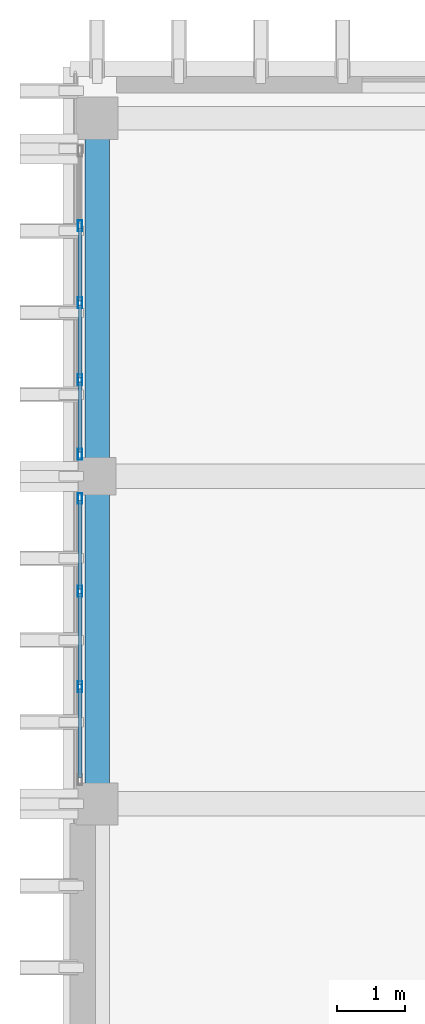
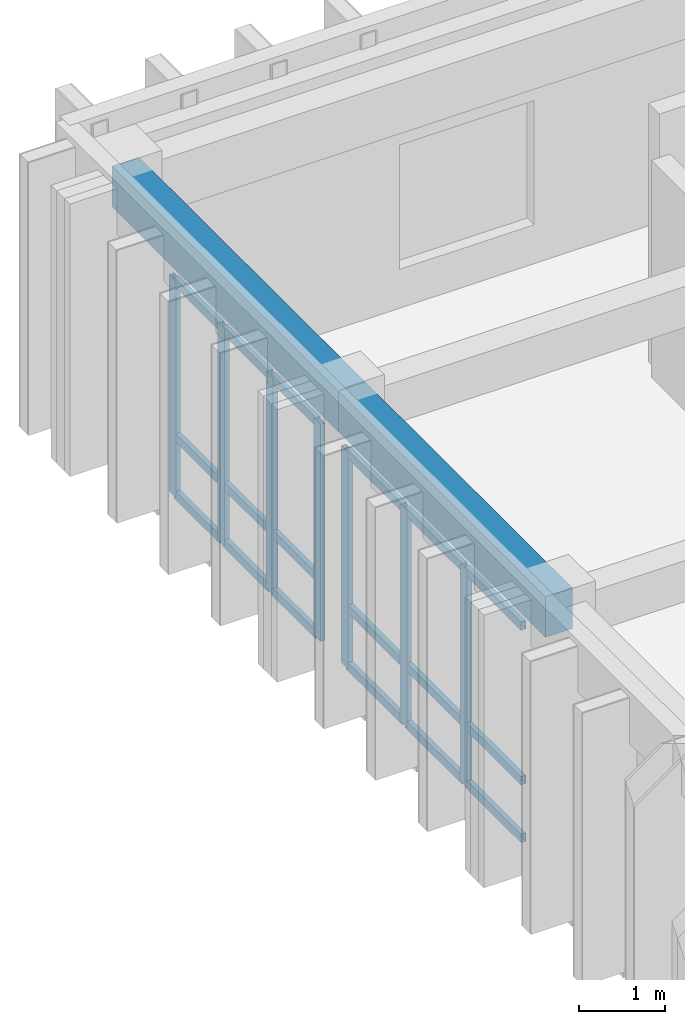
# One storey, part 30 of 50: 25 members, 2 beams, 2 elements without a shape of their own.
"""IFC4 building model written with IfcOpenShell, lengths in metres."""

from ifc_helpers import new_model, si_unit, direction, frame, origin, origin_2d, place, context, subcontext, project, spatial, rectangle, hollow_rectangle, extrude, material, layer, layer_set, material_profile, profile_set, type_object, element, aggregate, save


model = new_model("IFC4")

# Units and contexts
model_context = context("Model", 3, precision=1e-05, world=origin(), true_north=direction((0.0, 1.0)))
body_context = subcontext(model_context, "Body", "Model", "MODEL_VIEW")
ifc_project = project(units=[si_unit("LENGTHUNIT", "METRE"), si_unit("AREAUNIT", "SQUARE_METRE"), si_unit("VOLUMEUNIT", "CUBIC_METRE"), si_unit("PLANEANGLEUNIT", "RADIAN"), si_unit("MASSUNIT", "GRAM", prefix="KILO")], contexts=[model_context])

# Site, building, storey
site_placement = place(None, origin())
site = spatial("IfcSite", under=ifc_project, at=site_placement, CompositionType="ELEMENT")
building_placement = place(site_placement, origin())
building = spatial("IfcBuilding", under=site, at=building_placement, Name="Nakhvara Creek Congress Hotel", CompositionType="ELEMENT")
storey_placement = place(building_placement, frame((0.0, 0.0, 42.60009765625)))
storey = spatial("IfcBuildingStorey", under=building, at=storey_placement, Name="L10", CompositionType="ELEMENT", Elevation=42.60009765625)

# Beams
ifc_material_1 = material(Name="Concrete C40/50", Category="concrete")
ifc_material_profile_1 = material_profile(ifc_material_1, rectangle(XDim=0.360107421875, YDim=0.580078125, at=origin_2d()), Name="RC-BM 360x580", Category="LoadBearing")
ifc_profile_set_1 = profile_set([ifc_material_profile_1], Name="Concrete C40/50")
beam_type = type_object("IfcBeamType", Name="BM-RC-360X580", PredefinedType="BEAM", material=ifc_profile_set_1)
beam_1_placement = place(storey_placement, frame((149.449951171875, 115.199951171875, 3.369873046875), z_axis=(0.0, 1.0, 0.0), x_axis=(-1.0, 0.0, 0.0)))
element("IfcBeam", 1, at=beam_1_placement, inside=storey, type_object=beam_type, Name="Beam B09-L10-2645", PredefinedType="BEAM", context=body_context, shape_type="SweptSolid", body=[
    extrude(rectangle(XDim=0.360107421875, YDim=0.580078125, at=origin_2d()), origin(), (0.0, 0.0, 1.0), 4.800048828125),
])
beam_2_placement = place(storey_placement, frame((149.449951171875, 120.0, 3.369873046875), z_axis=(0.0, 1.0, 0.0), x_axis=(-1.0, 0.0, 0.0)))
element("IfcBeam", 2, at=beam_2_placement, inside=storey, type_object=beam_type, Name="Beam B09-L10-2647", PredefinedType="BEAM", context=body_context, shape_type="SweptSolid", body=[
    extrude(rectangle(XDim=0.360107421875, YDim=0.580078125, at=origin_2d()), origin(), (0.0, 0.0, 1.0), 5.25),
])

# Curtain wall, members
ifc_material_2 = material(Name="Bronze-anodised aluminium AW-6063-T6 and double-silver low-E glass", Category="aluminium")
ifc_layer = layer(ifc_material_2, 0.199951171875)
ifc_layer_set = layer_set([ifc_layer], Name="Bronze-anodised aluminium AW-6063-T6 and double-silver low-E glass")
curtain_wall_type = type_object("IfcCurtainWallType", Name="CW-HTL-UNIT", PredefinedType="USERDEFINED", material=ifc_layer_set)
curtain_wall_1_placement = place(storey_placement, origin())
curtain_wall_1 = element("IfcCurtainWall", 3, at=curtain_wall_1_placement, inside=storey, type_object=curtain_wall_type, Name="Curtain Wall CW329", ObjectType="UNITISED", PredefinedType="USERDEFINED")
ifc_material_3 = material(Name="Bronze-anodised aluminium AW-6063-T6", Category="aluminium")
ifc_material_profile_2 = material_profile(ifc_material_3, hollow_rectangle(XDim=0.06494140625, YDim=0.159912109375, WallThickness=0.00390625, at=origin_2d()), Name="ALU-MULL 65x160x4", Category="LoadBearing")
ifc_profile_set_2 = profile_set([ifc_material_profile_2], Name="Bronze-anodised aluminium AW-6063-T6")
member_type_1 = type_object("IfcMemberType", Name="CW-MULL-160", PredefinedType="MULLION", material=ifc_profile_set_2)
member_1_placement = place(storey_placement, frame((149.199951171875, 116.919921875, 0.0), z_axis=(0.0, 0.0, 1.0), x_axis=(-1.0, 0.0, 0.0)))
member_1 = element("IfcMember", 4, at=member_1_placement, type_object=member_type_1, Name="CW329 mullion 2", PredefinedType="MULLION", context=body_context, shape_type="SweptSolid", body=[
    extrude(hollow_rectangle(XDim=0.06494140625, YDim=0.159912109375, WallThickness=0.00390625, at=origin_2d()), origin(), (0.0, 0.0, 1.0), 3.072021484375),
])
member_2_placement = place(storey_placement, frame((149.199951171875, 118.31494140625, 0.0), z_axis=(0.0, 0.0, 1.0), x_axis=(-1.0, 0.0, 0.0)))
member_2 = element("IfcMember", 5, at=member_2_placement, type_object=member_type_1, Name="CW329 mullion 3", PredefinedType="MULLION", context=body_context, shape_type="SweptSolid", body=[
    extrude(hollow_rectangle(XDim=0.06494140625, YDim=0.159912109375, WallThickness=0.00390625, at=origin_2d()), origin(), (0.0, 0.0, 1.0), 3.072021484375),
])
member_3_placement = place(storey_placement, frame((149.199951171875, 119.677490234375, 0.0), z_axis=(0.0, 0.0, 1.0), x_axis=(-1.0, 0.0, 0.0)))
member_3 = element("IfcMember", 6, at=member_3_placement, type_object=member_type_1, Name="CW329 mullion 4", PredefinedType="MULLION", context=body_context, shape_type="SweptSolid", body=[
    extrude(hollow_rectangle(XDim=0.06494140625, YDim=0.159912109375, WallThickness=0.00390625, at=origin_2d()), origin(), (0.0, 0.0, 1.0), 3.072021484375),
])

curtain_wall_2_placement = place(storey_placement, origin())
curtain_wall_2 = element("IfcCurtainWall", 7, at=curtain_wall_2_placement, inside=storey, type_object=curtain_wall_type, Name="Curtain Wall CW331", ObjectType="UNITISED", PredefinedType="USERDEFINED")
member_4_placement = place(storey_placement, frame((149.199951171875, 120.322509765625, 0.0), z_axis=(0.0, 0.0, 1.0), x_axis=(-1.0, 0.0, 0.0)))
member_4 = element("IfcMember", 8, at=member_4_placement, type_object=member_type_1, Name="CW331 mullion 1", PredefinedType="MULLION", context=body_context, shape_type="SweptSolid", body=[
    extrude(hollow_rectangle(XDim=0.06494140625, YDim=0.159912109375, WallThickness=0.00390625, at=origin_2d()), origin(), (0.0, 0.0, 1.0), 3.072021484375),
])
member_5_placement = place(storey_placement, frame((149.199951171875, 121.41748046875, 0.0), z_axis=(0.0, 0.0, 1.0), x_axis=(-1.0, 0.0, 0.0)))
member_5 = element("IfcMember", 9, at=member_5_placement, type_object=member_type_1, Name="CW331 mullion 2", PredefinedType="MULLION", context=body_context, shape_type="SweptSolid", body=[
    extrude(hollow_rectangle(XDim=0.06494140625, YDim=0.159912109375, WallThickness=0.00390625, at=origin_2d()), origin(), (0.0, 0.0, 1.0), 3.072021484375),
])
member_6_placement = place(storey_placement, frame((149.199951171875, 122.544921875, 0.0), z_axis=(0.0, 0.0, 1.0), x_axis=(-1.0, 0.0, 0.0)))
member_6 = element("IfcMember", 10, at=member_6_placement, type_object=member_type_1, Name="CW331 mullion 3", PredefinedType="MULLION", context=body_context, shape_type="SweptSolid", body=[
    extrude(hollow_rectangle(XDim=0.06494140625, YDim=0.159912109375, WallThickness=0.00390625, at=origin_2d()), origin(), (0.0, 0.0, 1.0), 3.072021484375),
])
member_7_placement = place(storey_placement, frame((149.199951171875, 123.672607421875, 0.0), z_axis=(0.0, 0.0, 1.0), x_axis=(-1.0, 0.0, 0.0)))
member_7 = element("IfcMember", 11, at=member_7_placement, type_object=member_type_1, Name="CW331 mullion 4", PredefinedType="MULLION", context=body_context, shape_type="SweptSolid", body=[
    extrude(hollow_rectangle(XDim=0.06494140625, YDim=0.159912109375, WallThickness=0.00390625, at=origin_2d()), origin(), (0.0, 0.0, 1.0), 3.072021484375),
])

# Member
ifc_material_profile_3 = material_profile(ifc_material_3, hollow_rectangle(XDim=0.06494140625, YDim=0.1201171875, WallThickness=0.00390625, at=origin_2d()), Name="ALU-TRAN 65x120x4", Category="LoadBearing")
ifc_profile_set_3 = profile_set([ifc_material_profile_3], Name="Bronze-anodised aluminium AW-6063-T6")
member_type_2 = type_object("IfcMemberType", Name="CW-TRAN-120", PredefinedType="USERDEFINED", material=ifc_profile_set_3)
member_8_placement = place(storey_placement, frame((149.199951171875, 115.590087890625, 0.032470703125), z_axis=(0.0, 1.0, 0.0), x_axis=(-1.0, 0.0, 0.0)))
member_8 = element("IfcMember", 12, at=member_8_placement, type_object=member_type_2, Name="CW329 transom 1.1", ObjectType="TRANSOM", PredefinedType="USERDEFINED", context=body_context, shape_type="SweptSolid", body=[
    extrude(hollow_rectangle(XDim=0.06494140625, YDim=0.1201171875, WallThickness=0.00390625, at=origin_2d()), origin(), (0.0, 0.0, 1.0), 1.29736328125),
])

member_9_placement = place(storey_placement, frame((149.199951171875, 115.590087890625, 0.849853515625), z_axis=(0.0, 1.0, 0.0), x_axis=(-1.0, 0.0, 0.0)))
member_9 = element("IfcMember", 13, at=member_9_placement, type_object=member_type_2, Name="CW329 transom 1.2", ObjectType="TRANSOM", PredefinedType="USERDEFINED", context=body_context, shape_type="SweptSolid", body=[
    extrude(hollow_rectangle(XDim=0.06494140625, YDim=0.1201171875, WallThickness=0.00390625, at=origin_2d()), origin(), (0.0, 0.0, 1.0), 1.29736328125),
])

member_10_placement = place(storey_placement, frame((149.199951171875, 115.590087890625, 3.039306640625), z_axis=(0.0, 1.0, 0.0), x_axis=(-1.0, 0.0, 0.0)))
member_10 = element("IfcMember", 14, at=member_10_placement, type_object=member_type_2, Name="CW329 transom 1.3", ObjectType="TRANSOM", PredefinedType="USERDEFINED", context=body_context, shape_type="SweptSolid", body=[
    extrude(hollow_rectangle(XDim=0.06494140625, YDim=0.1201171875, WallThickness=0.00390625, at=origin_2d()), origin(), (0.0, 0.0, 1.0), 1.29736328125),
])

member_11_placement = place(storey_placement, frame((149.199951171875, 116.952392578125, 0.032470703125), z_axis=(0.0, 1.0, 0.0), x_axis=(-1.0, 0.0, 0.0)))
member_11 = element("IfcMember", 15, at=member_11_placement, type_object=member_type_2, Name="CW329 transom 2.1", ObjectType="TRANSOM", PredefinedType="USERDEFINED", context=body_context, shape_type="SweptSolid", body=[
    extrude(hollow_rectangle(XDim=0.06494140625, YDim=0.1201171875, WallThickness=0.00390625, at=origin_2d()), origin(), (0.0, 0.0, 1.0), 1.330078125),
])

member_12_placement = place(storey_placement, frame((149.199951171875, 116.952392578125, 0.849853515625), z_axis=(0.0, 1.0, 0.0), x_axis=(-1.0, 0.0, 0.0)))
member_12 = element("IfcMember", 16, at=member_12_placement, type_object=member_type_2, Name="CW329 transom 2.2", ObjectType="TRANSOM", PredefinedType="USERDEFINED", context=body_context, shape_type="SweptSolid", body=[
    extrude(hollow_rectangle(XDim=0.06494140625, YDim=0.1201171875, WallThickness=0.00390625, at=origin_2d()), origin(), (0.0, 0.0, 1.0), 1.330078125),
])

member_13_placement = place(storey_placement, frame((149.199951171875, 116.952392578125, 3.039306640625), z_axis=(0.0, 1.0, 0.0), x_axis=(-1.0, 0.0, 0.0)))
member_13 = element("IfcMember", 17, at=member_13_placement, type_object=member_type_2, Name="CW329 transom 2.3", ObjectType="TRANSOM", PredefinedType="USERDEFINED", context=body_context, shape_type="SweptSolid", body=[
    extrude(hollow_rectangle(XDim=0.06494140625, YDim=0.1201171875, WallThickness=0.00390625, at=origin_2d()), origin(), (0.0, 0.0, 1.0), 1.330078125),
])

member_14_placement = place(storey_placement, frame((149.199951171875, 118.347412109375, 0.032470703125), z_axis=(0.0, 1.0, 0.0), x_axis=(-1.0, 0.0, 0.0)))
member_14 = element("IfcMember", 18, at=member_14_placement, type_object=member_type_2, Name="CW329 transom 3.1", ObjectType="TRANSOM", PredefinedType="USERDEFINED", context=body_context, shape_type="SweptSolid", body=[
    extrude(hollow_rectangle(XDim=0.06494140625, YDim=0.1201171875, WallThickness=0.00390625, at=origin_2d()), origin(), (0.0, 0.0, 1.0), 1.297607421875),
])

member_15_placement = place(storey_placement, frame((149.199951171875, 118.347412109375, 0.849853515625), z_axis=(0.0, 1.0, 0.0), x_axis=(-1.0, 0.0, 0.0)))
member_15 = element("IfcMember", 19, at=member_15_placement, type_object=member_type_2, Name="CW329 transom 3.2", ObjectType="TRANSOM", PredefinedType="USERDEFINED", context=body_context, shape_type="SweptSolid", body=[
    extrude(hollow_rectangle(XDim=0.06494140625, YDim=0.1201171875, WallThickness=0.00390625, at=origin_2d()), origin(), (0.0, 0.0, 1.0), 1.297607421875),
])

member_16_placement = place(storey_placement, frame((149.199951171875, 118.347412109375, 3.039306640625), z_axis=(0.0, 1.0, 0.0), x_axis=(-1.0, 0.0, 0.0)))
member_16 = element("IfcMember", 20, at=member_16_placement, type_object=member_type_2, Name="CW329 transom 3.3", ObjectType="TRANSOM", PredefinedType="USERDEFINED", context=body_context, shape_type="SweptSolid", body=[
    extrude(hollow_rectangle(XDim=0.06494140625, YDim=0.1201171875, WallThickness=0.00390625, at=origin_2d()), origin(), (0.0, 0.0, 1.0), 1.297607421875),
])

aggregate(curtain_wall_1, [member_1, member_2, member_3, member_8, member_9, member_10, member_11, member_12, member_13, member_14, member_15, member_16])

member_17_placement = place(storey_placement, frame((149.199951171875, 120.35498046875, 0.032470703125), z_axis=(0.0, 1.0, 0.0), x_axis=(-1.0, 0.0, 0.0)))
member_17 = element("IfcMember", 21, at=member_17_placement, type_object=member_type_2, Name="CW331 transom 1.1", ObjectType="TRANSOM", PredefinedType="USERDEFINED", context=body_context, shape_type="SweptSolid", body=[
    extrude(hollow_rectangle(XDim=0.06494140625, YDim=0.1201171875, WallThickness=0.00390625, at=origin_2d()), origin(), (0.0, 0.0, 1.0), 1.030029296875),
])

member_18_placement = place(storey_placement, frame((149.199951171875, 120.35498046875, 0.849853515625), z_axis=(0.0, 1.0, 0.0), x_axis=(-1.0, 0.0, 0.0)))
member_18 = element("IfcMember", 22, at=member_18_placement, type_object=member_type_2, Name="CW331 transom 1.2", ObjectType="TRANSOM", PredefinedType="USERDEFINED", context=body_context, shape_type="SweptSolid", body=[
    extrude(hollow_rectangle(XDim=0.06494140625, YDim=0.1201171875, WallThickness=0.00390625, at=origin_2d()), origin(), (0.0, 0.0, 1.0), 1.030029296875),
])

member_19_placement = place(storey_placement, frame((149.199951171875, 120.35498046875, 3.039306640625), z_axis=(0.0, 1.0, 0.0), x_axis=(-1.0, 0.0, 0.0)))
member_19 = element("IfcMember", 23, at=member_19_placement, type_object=member_type_2, Name="CW331 transom 1.3", ObjectType="TRANSOM", PredefinedType="USERDEFINED", context=body_context, shape_type="SweptSolid", body=[
    extrude(hollow_rectangle(XDim=0.06494140625, YDim=0.1201171875, WallThickness=0.00390625, at=origin_2d()), origin(), (0.0, 0.0, 1.0), 1.030029296875),
])

member_20_placement = place(storey_placement, frame((149.199951171875, 121.449951171875, 0.032470703125), z_axis=(0.0, 1.0, 0.0), x_axis=(-1.0, 0.0, 0.0)))
member_20 = element("IfcMember", 24, at=member_20_placement, type_object=member_type_2, Name="CW331 transom 2.1", ObjectType="TRANSOM", PredefinedType="USERDEFINED", context=body_context, shape_type="SweptSolid", body=[
    extrude(hollow_rectangle(XDim=0.06494140625, YDim=0.1201171875, WallThickness=0.00390625, at=origin_2d()), origin(), (0.0, 0.0, 1.0), 1.0625),
])

member_21_placement = place(storey_placement, frame((149.199951171875, 121.449951171875, 0.849853515625), z_axis=(0.0, 1.0, 0.0), x_axis=(-1.0, 0.0, 0.0)))
member_21 = element("IfcMember", 25, at=member_21_placement, type_object=member_type_2, Name="CW331 transom 2.2", ObjectType="TRANSOM", PredefinedType="USERDEFINED", context=body_context, shape_type="SweptSolid", body=[
    extrude(hollow_rectangle(XDim=0.06494140625, YDim=0.1201171875, WallThickness=0.00390625, at=origin_2d()), origin(), (0.0, 0.0, 1.0), 1.0625),
])

member_22_placement = place(storey_placement, frame((149.199951171875, 121.449951171875, 3.039306640625), z_axis=(0.0, 1.0, 0.0), x_axis=(-1.0, 0.0, 0.0)))
member_22 = element("IfcMember", 26, at=member_22_placement, type_object=member_type_2, Name="CW331 transom 2.3", ObjectType="TRANSOM", PredefinedType="USERDEFINED", context=body_context, shape_type="SweptSolid", body=[
    extrude(hollow_rectangle(XDim=0.06494140625, YDim=0.1201171875, WallThickness=0.00390625, at=origin_2d()), origin(), (0.0, 0.0, 1.0), 1.0625),
])

member_23_placement = place(storey_placement, frame((149.199951171875, 122.577392578125, 0.032470703125), z_axis=(0.0, 1.0, 0.0), x_axis=(-1.0, 0.0, 0.0)))
member_23 = element("IfcMember", 27, at=member_23_placement, type_object=member_type_2, Name="CW331 transom 3.1", ObjectType="TRANSOM", PredefinedType="USERDEFINED", context=body_context, shape_type="SweptSolid", body=[
    extrude(hollow_rectangle(XDim=0.06494140625, YDim=0.1201171875, WallThickness=0.00390625, at=origin_2d()), origin(), (0.0, 0.0, 1.0), 1.0625),
])

member_24_placement = place(storey_placement, frame((149.199951171875, 122.577392578125, 0.849853515625), z_axis=(0.0, 1.0, 0.0), x_axis=(-1.0, 0.0, 0.0)))
member_24 = element("IfcMember", 28, at=member_24_placement, type_object=member_type_2, Name="CW331 transom 3.2", ObjectType="TRANSOM", PredefinedType="USERDEFINED", context=body_context, shape_type="SweptSolid", body=[
    extrude(hollow_rectangle(XDim=0.06494140625, YDim=0.1201171875, WallThickness=0.00390625, at=origin_2d()), origin(), (0.0, 0.0, 1.0), 1.0625),
])

member_25_placement = place(storey_placement, frame((149.199951171875, 122.577392578125, 3.039306640625), z_axis=(0.0, 1.0, 0.0), x_axis=(-1.0, 0.0, 0.0)))
member_25 = element("IfcMember", 29, at=member_25_placement, type_object=member_type_2, Name="CW331 transom 3.3", ObjectType="TRANSOM", PredefinedType="USERDEFINED", context=body_context, shape_type="SweptSolid", body=[
    extrude(hollow_rectangle(XDim=0.06494140625, YDim=0.1201171875, WallThickness=0.00390625, at=origin_2d()), origin(), (0.0, 0.0, 1.0), 1.0625),
])

aggregate(curtain_wall_2, [member_4, member_5, member_6, member_7, member_17, member_18, member_19, member_20, member_21, member_22, member_23, member_24, member_25])

save(model, "model.ifc")
